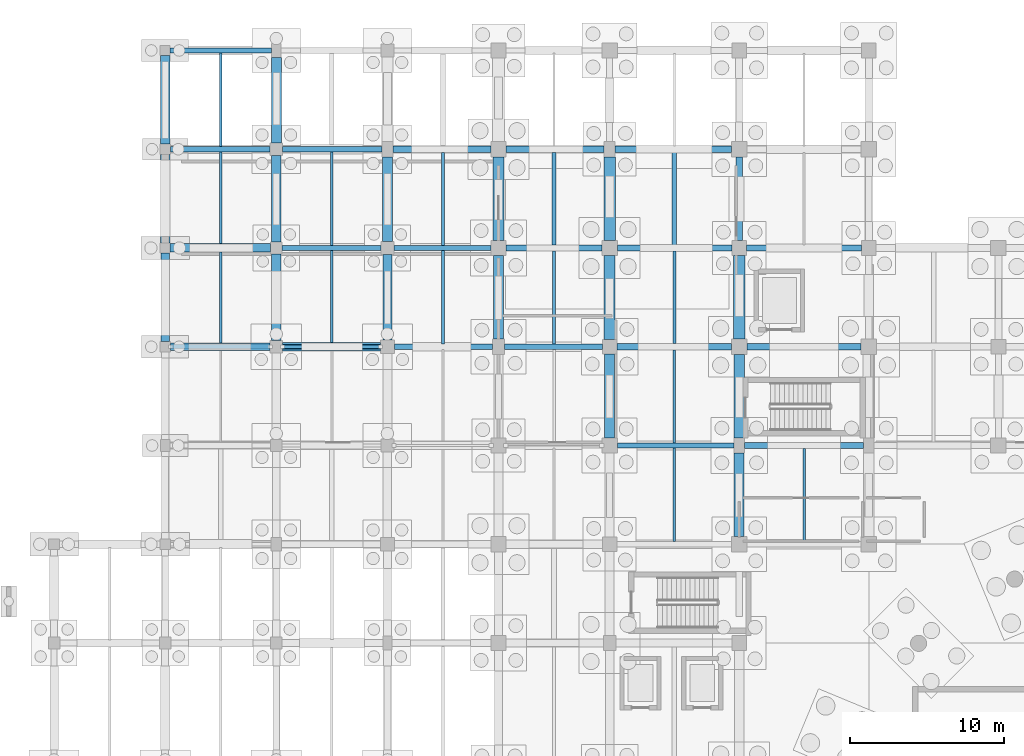
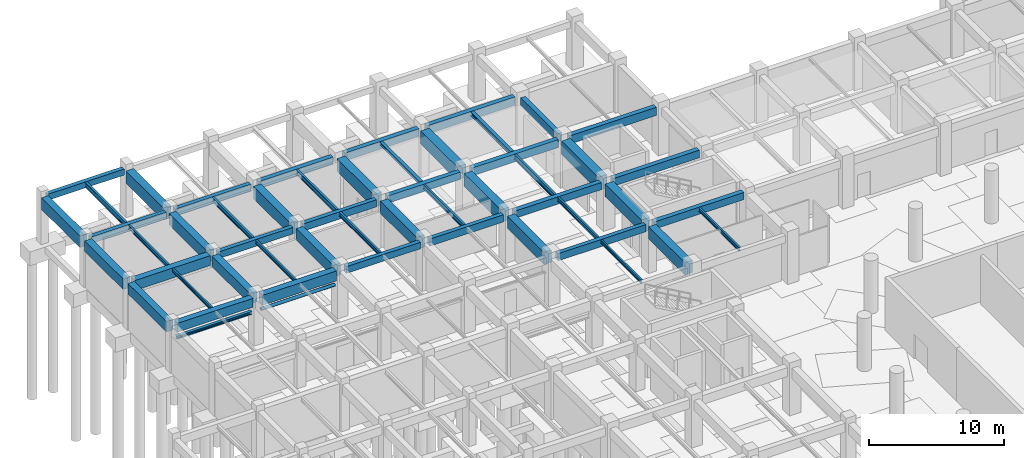
# One storey, part 23 of 44: 51 beams, 2 members.
"""IFC4 building model written with IfcOpenShell, lengths in metres."""

from ifc_helpers import new_model, si_unit, direction, frame, origin, origin_2d, place, context, subcontext, project, spatial, rectangle, hollow_circle, i_section, extrude, material, material_profile, profile_set, type_object, element, save


model = new_model("IFC4")

# Units and contexts
model_context = context("Model", 3, precision=1e-05, world=origin(), true_north=direction((0.0, 1.0)))
body_context = subcontext(model_context, "Body", "Model", "MODEL_VIEW")
ifc_project = project(units=[si_unit("LENGTHUNIT", "METRE"), si_unit("AREAUNIT", "SQUARE_METRE"), si_unit("VOLUMEUNIT", "CUBIC_METRE"), si_unit("PLANEANGLEUNIT", "RADIAN"), si_unit("MASSUNIT", "GRAM", prefix="KILO")], contexts=[model_context])

# Site, building, storey
site_placement = place(None, origin())
site = spatial("IfcSite", under=ifc_project, at=site_placement, CompositionType="ELEMENT")
building_placement = place(site_placement, origin())
building = spatial("IfcBuilding", under=site, at=building_placement, Name="Korsvaeld Concert Hall", CompositionType="ELEMENT")
storey_placement = place(building_placement, frame((0.0, 0.0, -4.800048828125)))
storey = spatial("IfcBuildingStorey", under=building, at=storey_placement, Name="B1", CompositionType="ELEMENT", Elevation=-4.800048828125)

# Beams
ifc_material_1 = material(Name="Concrete C35/45", Category="concrete")
ifc_material_profile_1 = material_profile(ifc_material_1, rectangle(XDim=0.35009765625, YDim=0.60009765625, at=origin_2d()), Name="RC 350x600")
ifc_profile_set_1 = profile_set([ifc_material_profile_1], Name="Concrete C35/45")
beam_type_1 = type_object("IfcBeamType", Name="BM-RC-350x600", PredefinedType="T_BEAM", material=ifc_profile_set_1)
beam_1_placement = place(storey_placement, frame((36.449951171875, 96.0, 3.949951171875), z_axis=(1.0, 0.0, 0.0), x_axis=(0.0, 1.0, 0.0)))
element("IfcBeam", 1, at=beam_1_placement, inside=storey, type_object=beam_type_1, Name="Primary girder 6-7/P B1", PredefinedType="T_BEAM", context=body_context, shape_type="SweptSolid", body=[
    extrude(rectangle(XDim=0.35009765625, YDim=0.60009765625, at=origin_2d()), origin(), (0.0, 0.0, 1.0), 6.35009765625),
])
beam_2_placement = place(storey_placement, frame((29.175048828125, 102.39990234375, 3.949951171875), z_axis=(1.0, 0.0, 0.0), x_axis=(0.0, 1.0, 0.0)))
element("IfcBeam", 2, at=beam_2_placement, inside=storey, type_object=beam_type_1, Name="Primary girder 5-6/Q B1", PredefinedType="T_BEAM", context=body_context, shape_type="SweptSolid", body=[
    extrude(rectangle(XDim=0.35009765625, YDim=0.60009765625, at=origin_2d()), origin(), (0.0, 0.0, 1.0), 6.39990234375),
])
beam_3_placement = place(storey_placement, frame((21.949951171875, 108.800048828125, 3.949951171875), z_axis=(1.0, 0.0, 0.0), x_axis=(0.0, 1.0, 0.0)))
element("IfcBeam", 3, at=beam_3_placement, inside=storey, type_object=beam_type_1, Name="Primary girder 4-5/R B1", PredefinedType="T_BEAM", context=body_context, shape_type="SweptSolid", body=[
    extrude(rectangle(XDim=0.35009765625, YDim=0.60009765625, at=origin_2d()), origin(), (0.0, 0.0, 1.0), 6.449951171875),
])
ifc_material_profile_2 = material_profile(ifc_material_1, rectangle(XDim=0.35009765625, YDim=0.64990234375, at=origin_2d()), Name="RC 350x650")
ifc_profile_set_2 = profile_set([ifc_material_profile_2], Name="Concrete C35/45")
beam_type_2 = type_object("IfcBeamType", Name="BM-RC-350x650", PredefinedType="T_BEAM", material=ifc_profile_set_2)
beam_4_placement = place(storey_placement, frame((50.89990234375, 89.60009765625, 3.925048828125), z_axis=(1.0, 0.0, 0.0), x_axis=(0.0, 1.0, 0.0)))
element("IfcBeam", 4, at=beam_4_placement, inside=storey, type_object=beam_type_2, Name="Primary girder 8-9/N B1", PredefinedType="T_BEAM", context=body_context, shape_type="SweptSolid", body=[
    extrude(rectangle(XDim=0.35009765625, YDim=0.64990234375, at=origin_2d()), origin(), (0.0, 0.0, 1.0), 7.550048828125),
])
beam_5_placement = place(storey_placement, frame((43.60009765625, 96.0, 3.925048828125), z_axis=(1.0, 0.0, 0.0), x_axis=(0.0, 1.0, 0.0)))
element("IfcBeam", 5, at=beam_5_placement, inside=storey, type_object=beam_type_2, Name="Primary girder 7-8/P B1", PredefinedType="T_BEAM", context=body_context, shape_type="SweptSolid", body=[
    extrude(rectangle(XDim=0.35009765625, YDim=0.64990234375, at=origin_2d()), origin(), (0.0, 0.0, 1.0), 6.324951171875),
])
beam_6_placement = place(storey_placement, frame((36.425048828125, 102.39990234375, 3.925048828125), z_axis=(1.0, 0.0, 0.0), x_axis=(0.0, 1.0, 0.0)))
element("IfcBeam", 6, at=beam_6_placement, inside=storey, type_object=beam_type_2, Name="Primary girder 6-7/Q B1", PredefinedType="T_BEAM", context=body_context, shape_type="SweptSolid", body=[
    extrude(rectangle(XDim=0.35009765625, YDim=0.64990234375, at=origin_2d()), origin(), (0.0, 0.0, 1.0), 6.300048828125),
])
beam_7_placement = place(storey_placement, frame((29.199951171875, 108.800048828125, 3.925048828125), z_axis=(1.0, 0.0, 0.0), x_axis=(0.0, 1.0, 0.0)))
element("IfcBeam", 7, at=beam_7_placement, inside=storey, type_object=beam_type_2, Name="Primary girder 5-6/R B1", PredefinedType="T_BEAM", context=body_context, shape_type="SweptSolid", body=[
    extrude(rectangle(XDim=0.35009765625, YDim=0.64990234375, at=origin_2d()), origin(), (0.0, 0.0, 1.0), 6.449951171875),
])
ifc_material_profile_3 = material_profile(ifc_material_1, rectangle(XDim=0.39990234375, YDim=0.64990234375, at=origin_2d()), Name="RC 400x650")
ifc_profile_set_3 = profile_set([ifc_material_profile_3], Name="Concrete C35/45")
beam_type_3 = type_object("IfcBeamType", Name="BM-RC-400x650", PredefinedType="T_BEAM", material=ifc_profile_set_3)
beam_8_placement = place(storey_placement, frame((59.14990234375, 89.60009765625, 3.925048828125), z_axis=(1.0, 0.0, 0.0), x_axis=(0.0, 1.0, 0.0)))
element("IfcBeam", 8, at=beam_8_placement, inside=storey, type_object=beam_type_3, Name="Primary girder 9-10/N B1", PredefinedType="T_BEAM", context=body_context, shape_type="SweptSolid", body=[
    extrude(rectangle(XDim=0.39990234375, YDim=0.64990234375, at=origin_2d()), origin(), (0.0, 0.0, 1.0), 7.7001953125),
])
beam_9_placement = place(storey_placement, frame((50.875, 96.0, 3.925048828125), z_axis=(1.0, 0.0, 0.0), x_axis=(0.0, 1.0, 0.0)))
element("IfcBeam", 9, at=beam_9_placement, inside=storey, type_object=beam_type_3, Name="Primary girder 8-9/P B1", PredefinedType="T_BEAM", context=body_context, shape_type="SweptSolid", body=[
    extrude(rectangle(XDim=0.39990234375, YDim=0.64990234375, at=origin_2d()), origin(), (0.0, 0.0, 1.0), 7.425048828125),
])
beam_10_placement = place(storey_placement, frame((43.675048828125, 102.39990234375, 3.925048828125), z_axis=(1.0, 0.0, 0.0), x_axis=(0.0, 1.0, 0.0)))
element("IfcBeam", 10, at=beam_10_placement, inside=storey, type_object=beam_type_3, Name="Primary girder 7-8/Q B1", PredefinedType="T_BEAM", context=body_context, shape_type="SweptSolid", body=[
    extrude(rectangle(XDim=0.39990234375, YDim=0.64990234375, at=origin_2d()), origin(), (0.0, 0.0, 1.0), 6.224853515625),
])
beam_11_placement = place(storey_placement, frame((36.35009765625, 108.800048828125, 3.925048828125), z_axis=(1.0, 0.0, 0.0), x_axis=(0.0, 1.0, 0.0)))
element("IfcBeam", 11, at=beam_11_placement, inside=storey, type_object=beam_type_3, Name="Primary girder 6-7/R B1", PredefinedType="T_BEAM", context=body_context, shape_type="SweptSolid", body=[
    extrude(rectangle(XDim=0.39990234375, YDim=0.64990234375, at=origin_2d()), origin(), (0.0, 0.0, 1.0), 6.349853515625),
])
ifc_material_profile_4 = material_profile(ifc_material_1, rectangle(XDim=0.39990234375, YDim=0.699951171875, at=origin_2d()), Name="RC 400x700")
ifc_profile_set_4 = profile_set([ifc_material_profile_4], Name="Concrete C35/45")
beam_type_4 = type_object("IfcBeamType", Name="BM-RC-400x700", PredefinedType="T_BEAM", material=ifc_profile_set_4)
beam_12_placement = place(storey_placement, frame((59.300048828125, 96.0, 3.900146484375), z_axis=(1.0, 0.0, 0.0), x_axis=(0.0, 1.0, 0.0)))
element("IfcBeam", 12, at=beam_12_placement, inside=storey, type_object=beam_type_4, Name="Primary girder 9-10/P B1", PredefinedType="T_BEAM", context=body_context, shape_type="SweptSolid", body=[
    extrude(rectangle(XDim=0.39990234375, YDim=0.699951171875, at=origin_2d()), origin(), (0.0, 0.0, 1.0), 7.39990234375),
])
beam_13_placement = place(storey_placement, frame((50.89990234375, 102.39990234375, 3.900146484375), z_axis=(1.0, 0.0, 0.0), x_axis=(0.0, 1.0, 0.0)))
element("IfcBeam", 13, at=beam_13_placement, inside=storey, type_object=beam_type_4, Name="Primary girder 8-9/Q B1", PredefinedType="T_BEAM", context=body_context, shape_type="SweptSolid", body=[
    extrude(rectangle(XDim=0.39990234375, YDim=0.699951171875, at=origin_2d()), origin(), (0.0, 0.0, 1.0), 7.425048828125),
])
beam_14_placement = place(storey_placement, frame((43.699951171875, 108.800048828125, 3.900146484375), z_axis=(1.0, 0.0, 0.0), x_axis=(0.0, 1.0, 0.0)))
element("IfcBeam", 14, at=beam_14_placement, inside=storey, type_object=beam_type_4, Name="Primary girder 7-8/R B1", PredefinedType="T_BEAM", context=body_context, shape_type="SweptSolid", body=[
    extrude(rectangle(XDim=0.39990234375, YDim=0.699951171875, at=origin_2d()), origin(), (0.0, 0.0, 1.0), 6.35009765625),
])
beam_15_placement = place(storey_placement, frame((58.800048828125, 102.875, 3.900146484375), z_axis=(0.0, 1.0, 0.0), x_axis=(-1.0, 0.0, 0.0)))
element("IfcBeam", 15, at=beam_15_placement, inside=storey, type_object=beam_type_4, Name="Primary girder 9/Q-R B1", PredefinedType="T_BEAM", context=body_context, shape_type="SweptSolid", body=[
    extrude(rectangle(XDim=0.39990234375, YDim=0.699951171875, at=origin_2d()), origin(), (0.0, 0.0, 1.0), 5.425048828125),
])
ifc_material_profile_5 = material_profile(ifc_material_1, rectangle(XDim=0.39990234375, YDim=0.75, at=origin_2d()), Name="RC 400x750")
ifc_profile_set_5 = profile_set([ifc_material_profile_5], Name="Concrete C35/45")
beam_type_5 = type_object("IfcBeamType", Name="BM-RC-400x750", PredefinedType="T_BEAM", material=ifc_profile_set_5)
beam_16_placement = place(storey_placement, frame((59.27490234375, 102.39990234375, 3.875), z_axis=(1.0, 0.0, 0.0), x_axis=(0.0, 1.0, 0.0)))
element("IfcBeam", 16, at=beam_16_placement, inside=storey, type_object=beam_type_5, Name="Primary girder 9-10/Q B1", PredefinedType="T_BEAM", context=body_context, shape_type="SweptSolid", body=[
    extrude(rectangle(XDim=0.39990234375, YDim=0.75, at=origin_2d()), origin(), (0.0, 0.0, 1.0), 7.4501953125),
])
beam_17_placement = place(storey_placement, frame((50.75, 108.800048828125, 3.875), z_axis=(1.0, 0.0, 0.0), x_axis=(0.0, 1.0, 0.0)))
element("IfcBeam", 17, at=beam_17_placement, inside=storey, type_object=beam_type_5, Name="Primary girder 8-9/R B1", PredefinedType="T_BEAM", context=body_context, shape_type="SweptSolid", body=[
    extrude(rectangle(XDim=0.39990234375, YDim=0.75, at=origin_2d()), origin(), (0.0, 0.0, 1.0), 7.550048828125),
])
ifc_material_2 = material(Name="Concrete C40/50", Category="concrete")
ifc_material_profile_6 = material_profile(ifc_material_2, rectangle(XDim=0.5, YDim=0.800048828125, at=origin_2d()), Name="RC 500x800")
ifc_profile_set_6 = profile_set([ifc_material_profile_6], Name="Concrete C40/50")
beam_type_6 = type_object("IfcBeamType", Name="BM-RC-500x800", PredefinedType="T_BEAM", material=ifc_profile_set_6)
beam_18_placement = place(storey_placement, frame((21.949951171875, 96.0, 3.85009765625), z_axis=(1.0, 0.0, 0.0), x_axis=(0.0, 1.0, 0.0)))
element("IfcBeam", 18, at=beam_18_placement, inside=storey, type_object=beam_type_6, Name="Primary girder 4-5/P B1", PredefinedType="T_BEAM", context=body_context, shape_type="SweptSolid", body=[
    extrude(rectangle(XDim=0.5, YDim=0.800048828125, at=origin_2d()), origin(), (0.0, 0.0, 1.0), 6.449951171875),
])
ifc_material_profile_7 = material_profile(ifc_material_2, rectangle(XDim=0.550048828125, YDim=0.89990234375, at=origin_2d()), Name="RC 550x900")
ifc_profile_set_7 = profile_set([ifc_material_profile_7], Name="Concrete C40/50")
beam_type_7 = type_object("IfcBeamType", Name="BM-RC-550x900", PredefinedType="T_BEAM", material=ifc_profile_set_7)
beam_19_placement = place(storey_placement, frame((29.199951171875, 96.0, 3.800048828125), z_axis=(1.0, 0.0, 0.0), x_axis=(0.0, 1.0, 0.0)))
element("IfcBeam", 19, at=beam_19_placement, inside=storey, type_object=beam_type_7, Name="Primary girder 5-6/P B1", PredefinedType="T_BEAM", context=body_context, shape_type="SweptSolid", body=[
    extrude(rectangle(XDim=0.550048828125, YDim=0.89990234375, at=origin_2d()), origin(), (0.0, 0.0, 1.0), 6.35009765625),
])
beam_20_placement = place(storey_placement, frame((21.925048828125, 102.39990234375, 3.800048828125), z_axis=(1.0, 0.0, 0.0), x_axis=(0.0, 1.0, 0.0)))
element("IfcBeam", 20, at=beam_20_placement, inside=storey, type_object=beam_type_7, Name="Primary girder 4-5/Q B1", PredefinedType="T_BEAM", context=body_context, shape_type="SweptSolid", body=[
    extrude(rectangle(XDim=0.550048828125, YDim=0.89990234375, at=origin_2d()), origin(), (0.0, 0.0, 1.0), 6.5),
])
ifc_material_profile_8 = material_profile(ifc_material_2, rectangle(XDim=0.550048828125, YDim=0.949951171875, at=origin_2d()), Name="RC 550x950")
ifc_profile_set_8 = profile_set([ifc_material_profile_8], Name="Concrete C40/50")
beam_type_8 = type_object("IfcBeamType", Name="BM-RC-550x950", PredefinedType="T_BEAM", material=ifc_profile_set_8)
beam_21_placement = place(storey_placement, frame((21.60009765625, 96.35009765625, 3.775146484375), z_axis=(0.0, 1.0, 0.0), x_axis=(-1.0, 0.0, 0.0)))
element("IfcBeam", 21, at=beam_21_placement, inside=storey, type_object=beam_type_8, Name="Primary girder 4/P-Q B1", PredefinedType="T_BEAM", context=body_context, shape_type="SweptSolid", body=[
    extrude(rectangle(XDim=0.550048828125, YDim=0.949951171875, at=origin_2d()), origin(), (0.0, 0.0, 1.0), 5.724853515625),
])
ifc_material_profile_9 = material_profile(ifc_material_2, rectangle(XDim=0.60009765625, YDim=1.050048828125, at=origin_2d()), Name="RC 600x1050")
ifc_profile_set_9 = profile_set([ifc_material_profile_9], Name="Concrete C40/50")
beam_type_9 = type_object("IfcBeamType", Name="BM-RC-600x1050", PredefinedType="T_BEAM", material=ifc_profile_set_9)
beam_22_placement = place(storey_placement, frame((21.60009765625, 109.14990234375, 3.72509765625), z_axis=(0.0, 1.0, 0.0), x_axis=(-1.0, 0.0, 0.0)))
element("IfcBeam", 22, at=beam_22_placement, inside=storey, type_object=beam_type_9, Name="Primary girder 4/R-S B1", PredefinedType="T_BEAM", context=body_context, shape_type="SweptSolid", body=[
    extrude(rectangle(XDim=0.60009765625, YDim=1.050048828125, at=origin_2d()), origin(), (0.0, 0.0, 1.0), 5.72509765625),
])
beam_23_placement = place(storey_placement, frame((28.800048828125, 102.77490234375, 3.72509765625), z_axis=(0.0, 1.0, 0.0), x_axis=(-1.0, 0.0, 0.0)))
element("IfcBeam", 23, at=beam_23_placement, inside=storey, type_object=beam_type_9, Name="Primary girder 5/Q-R B1", PredefinedType="T_BEAM", context=body_context, shape_type="SweptSolid", body=[
    extrude(rectangle(XDim=0.60009765625, YDim=1.050048828125, at=origin_2d()), origin(), (0.0, 0.0, 1.0), 5.625),
])
beam_24_placement = place(storey_placement, frame((36.0, 96.449951171875, 3.72509765625), z_axis=(0.0, 1.0, 0.0), x_axis=(-1.0, 0.0, 0.0)))
element("IfcBeam", 24, at=beam_24_placement, inside=storey, type_object=beam_type_9, Name="Primary girder 6/P-Q B1", PredefinedType="T_BEAM", context=body_context, shape_type="SweptSolid", body=[
    extrude(rectangle(XDim=0.60009765625, YDim=1.050048828125, at=origin_2d()), origin(), (0.0, 0.0, 1.0), 5.525146484375),
])
ifc_material_profile_10 = material_profile(ifc_material_2, rectangle(XDim=0.60009765625, YDim=0.949951171875, at=origin_2d()), Name="RC 600x950")
ifc_profile_set_10 = profile_set([ifc_material_profile_10], Name="Concrete C40/50")
beam_type_10 = type_object("IfcBeamType", Name="BM-RC-600x950", PredefinedType="T_BEAM", material=ifc_profile_set_10)
beam_25_placement = place(storey_placement, frame((21.60009765625, 102.72509765625, 3.775146484375), z_axis=(0.0, 1.0, 0.0), x_axis=(-1.0, 0.0, 0.0)))
element("IfcBeam", 25, at=beam_25_placement, inside=storey, type_object=beam_type_10, Name="Primary girder 4/Q-R B1", PredefinedType="T_BEAM", context=body_context, shape_type="SweptSolid", body=[
    extrude(rectangle(XDim=0.60009765625, YDim=0.949951171875, at=origin_2d()), origin(), (0.0, 0.0, 1.0), 5.724853515625),
])
beam_26_placement = place(storey_placement, frame((28.800048828125, 96.39990234375, 3.775146484375), z_axis=(0.0, 1.0, 0.0), x_axis=(-1.0, 0.0, 0.0)))
element("IfcBeam", 26, at=beam_26_placement, inside=storey, type_object=beam_type_10, Name="Primary girder 5/P-Q B1", PredefinedType="T_BEAM", context=body_context, shape_type="SweptSolid", body=[
    extrude(rectangle(XDim=0.60009765625, YDim=0.949951171875, at=origin_2d()), origin(), (0.0, 0.0, 1.0), 5.625),
])
ifc_material_profile_11 = material_profile(ifc_material_2, rectangle(XDim=0.64990234375, YDim=1.10009765625, at=origin_2d()), Name="RC 650x1100")
ifc_profile_set_11 = profile_set([ifc_material_profile_11], Name="Concrete C40/50")
beam_type_11 = type_object("IfcBeamType", Name="BM-RC-650x1100", PredefinedType="T_BEAM", material=ifc_profile_set_11)
beam_27_placement = place(storey_placement, frame((28.800048828125, 109.199951171875, 3.699951171875), z_axis=(0.0, 1.0, 0.0), x_axis=(-1.0, 0.0, 0.0)))
element("IfcBeam", 27, at=beam_27_placement, inside=storey, type_object=beam_type_11, Name="Primary girder 5/R-S B1", PredefinedType="T_BEAM", context=body_context, shape_type="SweptSolid", body=[
    extrude(rectangle(XDim=0.64990234375, YDim=1.10009765625, at=origin_2d()), origin(), (0.0, 0.0, 1.0), 5.550048828125),
])
beam_28_placement = place(storey_placement, frame((36.0, 102.824951171875, 3.699951171875), z_axis=(0.0, 1.0, 0.0), x_axis=(-1.0, 0.0, 0.0)))
element("IfcBeam", 28, at=beam_28_placement, inside=storey, type_object=beam_type_11, Name="Primary girder 6/Q-R B1", PredefinedType="T_BEAM", context=body_context, shape_type="SweptSolid", body=[
    extrude(rectangle(XDim=0.64990234375, YDim=1.10009765625, at=origin_2d()), origin(), (0.0, 0.0, 1.0), 5.47509765625),
])
beam_29_placement = place(storey_placement, frame((43.199951171875, 96.5, 3.699951171875), z_axis=(0.0, 1.0, 0.0), x_axis=(-1.0, 0.0, 0.0)))
element("IfcBeam", 29, at=beam_29_placement, inside=storey, type_object=beam_type_11, Name="Primary girder 7/P-Q B1", PredefinedType="T_BEAM", context=body_context, shape_type="SweptSolid", body=[
    extrude(rectangle(XDim=0.64990234375, YDim=1.10009765625, at=origin_2d()), origin(), (0.0, 0.0, 1.0), 5.425048828125),
])
beam_30_placement = place(storey_placement, frame((50.39990234375, 90.10009765625, 3.699951171875), z_axis=(0.0, 1.0, 0.0), x_axis=(-1.0, 0.0, 0.0)))
element("IfcBeam", 30, at=beam_30_placement, inside=storey, type_object=beam_type_11, Name="Primary girder 8/N-P B1", PredefinedType="T_BEAM", context=body_context, shape_type="SweptSolid", body=[
    extrude(rectangle(XDim=0.64990234375, YDim=1.10009765625, at=origin_2d()), origin(), (0.0, 0.0, 1.0), 5.4248046875),
])
beam_31_placement = place(storey_placement, frame((58.800048828125, 83.699951171875, 3.699951171875), z_axis=(0.0, 1.0, 0.0), x_axis=(-1.0, 0.0, 0.0)))
element("IfcBeam", 31, at=beam_31_placement, inside=storey, type_object=beam_type_11, Name="Primary girder 9/M-N B1", PredefinedType="T_BEAM", context=body_context, shape_type="SweptSolid", body=[
    extrude(rectangle(XDim=0.64990234375, YDim=1.10009765625, at=origin_2d()), origin(), (0.0, 0.0, 1.0), 5.400146484375),
])
ifc_material_profile_12 = material_profile(ifc_material_2, rectangle(XDim=0.699951171875, YDim=1.14990234375, at=origin_2d()), Name="RC 700x1150")
ifc_profile_set_12 = profile_set([ifc_material_profile_12], Name="Concrete C40/50")
beam_type_12 = type_object("IfcBeamType", Name="BM-RC-700x1150", PredefinedType="T_BEAM", material=ifc_profile_set_12)
beam_32_placement = place(storey_placement, frame((43.199951171875, 102.875, 3.675048828125), z_axis=(0.0, 1.0, 0.0), x_axis=(-1.0, 0.0, 0.0)))
element("IfcBeam", 32, at=beam_32_placement, inside=storey, type_object=beam_type_12, Name="Primary girder 7/Q-R B1", PredefinedType="T_BEAM", context=body_context, shape_type="SweptSolid", body=[
    extrude(rectangle(XDim=0.699951171875, YDim=1.14990234375, at=origin_2d()), origin(), (0.0, 0.0, 1.0), 5.425048828125),
])
beam_33_placement = place(storey_placement, frame((50.39990234375, 96.47509765625, 3.675048828125), z_axis=(0.0, 1.0, 0.0), x_axis=(-1.0, 0.0, 0.0)))
element("IfcBeam", 33, at=beam_33_placement, inside=storey, type_object=beam_type_12, Name="Primary girder 8/P-Q B1", PredefinedType="T_BEAM", context=body_context, shape_type="SweptSolid", body=[
    extrude(rectangle(XDim=0.699951171875, YDim=1.14990234375, at=origin_2d()), origin(), (0.0, 0.0, 1.0), 5.4248046875),
])
beam_34_placement = place(storey_placement, frame((58.800048828125, 90.10009765625, 3.675048828125), z_axis=(0.0, 1.0, 0.0), x_axis=(-1.0, 0.0, 0.0)))
element("IfcBeam", 34, at=beam_34_placement, inside=storey, type_object=beam_type_12, Name="Primary girder 9/N-P B1", PredefinedType="T_BEAM", context=body_context, shape_type="SweptSolid", body=[
    extrude(rectangle(XDim=0.699951171875, YDim=1.14990234375, at=origin_2d()), origin(), (0.0, 0.0, 1.0), 5.39990234375),
])
ifc_material_profile_13 = material_profile(ifc_material_2, rectangle(XDim=0.75, YDim=1.199951171875, at=origin_2d()), Name="RC 750x1200")
ifc_profile_set_13 = profile_set([ifc_material_profile_13], Name="Concrete C40/50")
beam_type_13 = type_object("IfcBeamType", Name="BM-RC-750x1200", PredefinedType="T_BEAM", material=ifc_profile_set_13)
beam_35_placement = place(storey_placement, frame((50.39990234375, 102.89990234375, 3.650146484375), z_axis=(0.0, 1.0, 0.0), x_axis=(-1.0, 0.0, 0.0)))
element("IfcBeam", 35, at=beam_35_placement, inside=storey, type_object=beam_type_13, Name="Primary girder 8/Q-R B1", PredefinedType="T_BEAM", context=body_context, shape_type="SweptSolid", body=[
    extrude(rectangle(XDim=0.75, YDim=1.199951171875, at=origin_2d()), origin(), (0.0, 0.0, 1.0), 5.400146484375),
])
beam_36_placement = place(storey_placement, frame((58.800048828125, 96.5, 3.650146484375), z_axis=(0.0, 1.0, 0.0), x_axis=(-1.0, 0.0, 0.0)))
element("IfcBeam", 36, at=beam_36_placement, inside=storey, type_object=beam_type_13, Name="Primary girder 9/P-Q B1", PredefinedType="T_BEAM", context=body_context, shape_type="SweptSolid", body=[
    extrude(rectangle(XDim=0.75, YDim=1.199951171875, at=origin_2d()), origin(), (0.0, 0.0, 1.0), 5.425048828125),
])
ifc_material_profile_14 = material_profile(ifc_material_1, rectangle(XDim=0.35009765625, YDim=0.550048828125, at=origin_2d()), Name="RC 350x550")
ifc_profile_set_14 = profile_set([ifc_material_profile_14], Name="Concrete C35/45")
beam_type_14 = type_object("IfcBeamType", Name="BM-SP-350x550", PredefinedType="SPANDREL", material=ifc_profile_set_14)
beam_37_placement = place(storey_placement, frame((21.925048828125, 115.199951171875, 3.97509765625), z_axis=(1.0, 0.0, 0.0), x_axis=(0.0, 1.0, 0.0)))
element("IfcBeam", 37, at=beam_37_placement, inside=storey, type_object=beam_type_14, Name="Primary girder 4-5/S B1", PredefinedType="SPANDREL", context=body_context, shape_type="SweptSolid", body=[
    extrude(rectangle(XDim=0.35009765625, YDim=0.550048828125, at=origin_2d()), origin(), (0.0, 0.0, 1.0), 6.574951171875),
])
ifc_material_3 = material(Name="Steel S355J2", Category="steel")
ifc_material_profile_15 = material_profile(ifc_material_3, i_section(OverallWidth=0.280029296875, OverallDepth=0.27001953125, WebThickness=0.008056640625, FlangeThickness=0.012939453125, FilletRadius=0.02392578125, at=origin_2d()), Name="HEA 280")
ifc_profile_set_15 = profile_set([ifc_material_profile_15], Name="Steel S355J2")
beam_type_15 = type_object("IfcBeamType", Name="BM-STL-HEA280", PredefinedType="BEAM", material=ifc_profile_set_15)
beam_38_placement = place(storey_placement, frame((46.800048828125, 102.60009765625, 4.114990234375), z_axis=(0.0, 1.0, 0.0), x_axis=(-1.0, 0.0, 0.0)))
element("IfcBeam", 38, at=beam_38_placement, inside=storey, type_object=beam_type_15, Name="Secondary steel floor beam 7-8/Q B1", PredefinedType="BEAM", context=body_context, shape_type="SweptSolid", body=[
    extrude(i_section(OverallWidth=0.280029296875, OverallDepth=0.27001953125, WebThickness=0.008056640625, FlangeThickness=0.012939453125, FilletRadius=0.02392578125, at=origin_2d()), origin(), (0.0, 0.0, 1.0), 6.0),
])
ifc_material_profile_16 = material_profile(ifc_material_3, i_section(OverallWidth=0.300048828125, OverallDepth=0.35009765625, WebThickness=0.010009765625, FlangeThickness=0.017578125, FilletRadius=0.027099609375, at=origin_2d()), Name="HEA 360")
ifc_profile_set_16 = profile_set([ifc_material_profile_16], Name="Steel S355J2")
beam_type_16 = type_object("IfcBeamType", Name="BM-STL-HEA360", PredefinedType="BEAM", material=ifc_profile_set_16)
beam_39_placement = place(storey_placement, frame((54.60009765625, 102.60009765625, 4.074951171875), z_axis=(0.0, 1.0, 0.0), x_axis=(-1.0, 0.0, 0.0)))
element("IfcBeam", 39, at=beam_39_placement, inside=storey, type_object=beam_type_16, Name="Secondary steel floor beam 8-9/Q B1", PredefinedType="BEAM", context=body_context, shape_type="SweptSolid", body=[
    extrude(i_section(OverallWidth=0.300048828125, OverallDepth=0.35009765625, WebThickness=0.010009765625, FlangeThickness=0.017578125, FilletRadius=0.027099609375, at=origin_2d()), origin(), (0.0, 0.0, 1.0), 6.0),
])
ifc_material_profile_17 = material_profile(ifc_material_3, i_section(OverallWidth=0.14990234375, OverallDepth=0.300048828125, WebThickness=0.007080078125, FlangeThickness=0.0107421875, FilletRadius=0.014892578125, at=origin_2d()), Name="IPE 300")
ifc_profile_set_17 = profile_set([ifc_material_profile_17], Name="Steel S355J2")
beam_type_17 = type_object("IfcBeamType", Name="BM-STL-IPE300", PredefinedType="JOIST", material=ifc_profile_set_17)
beam_40_placement = place(storey_placement, frame((25.199951171875, 96.25, 4.10009765625), z_axis=(0.0, 1.0, 0.0), x_axis=(-1.0, 0.0, 0.0)))
element("IfcBeam", 40, at=beam_40_placement, inside=storey, type_object=beam_type_17, Name="Secondary steel floor beam 4-5/P B1", PredefinedType="JOIST", context=body_context, shape_type="SweptSolid", body=[
    extrude(i_section(OverallWidth=0.14990234375, OverallDepth=0.300048828125, WebThickness=0.007080078125, FlangeThickness=0.0107421875, FilletRadius=0.014892578125, at=origin_2d()), origin(), (0.0, 0.0, 1.0), 5.875),
])
beam_41_placement = place(storey_placement, frame((54.60009765625, 83.375, 4.10009765625), z_axis=(0.0, 1.0, 0.0), x_axis=(-1.0, 0.0, 0.0)))
element("IfcBeam", 41, at=beam_41_placement, inside=storey, type_object=beam_type_17, Name="Secondary steel floor beam 8-9/M B1", PredefinedType="JOIST", context=body_context, shape_type="SweptSolid", body=[
    extrude(i_section(OverallWidth=0.14990234375, OverallDepth=0.300048828125, WebThickness=0.007080078125, FlangeThickness=0.0107421875, FilletRadius=0.014892578125, at=origin_2d()), origin(), (0.0, 0.0, 1.0), 6.050048828125),
])
ifc_material_profile_18 = material_profile(ifc_material_3, i_section(OverallWidth=0.159912109375, OverallDepth=0.330078125, WebThickness=0.007568359375, FlangeThickness=0.011474609375, FilletRadius=0.01806640625, at=origin_2d()), Name="IPE 330")
ifc_profile_set_18 = profile_set([ifc_material_profile_18], Name="Steel S355J2")
beam_type_18 = type_object("IfcBeamType", Name="BM-STL-IPE330", PredefinedType="BEAM", material=ifc_profile_set_18)
beam_42_placement = place(storey_placement, frame((32.39990234375, 96.27490234375, 4.0849609375), z_axis=(0.0, 1.0, 0.0), x_axis=(-1.0, 0.0, 0.0)))
element("IfcBeam", 42, at=beam_42_placement, inside=storey, type_object=beam_type_18, Name="Secondary steel floor beam 5-6/P B1", PredefinedType="BEAM", context=body_context, shape_type="SweptSolid", body=[
    extrude(i_section(OverallWidth=0.159912109375, OverallDepth=0.330078125, WebThickness=0.007568359375, FlangeThickness=0.011474609375, FilletRadius=0.01806640625, at=origin_2d()), origin(), (0.0, 0.0, 1.0), 5.9501953125),
])
beam_43_placement = place(storey_placement, frame((63.0, 83.375, 4.0849609375), z_axis=(0.0, 1.0, 0.0), x_axis=(-1.0, 0.0, 0.0)))
element("IfcBeam", 43, at=beam_43_placement, inside=storey, type_object=beam_type_18, Name="Secondary steel floor beam 9-10/M B1", PredefinedType="BEAM", context=body_context, shape_type="SweptSolid", body=[
    extrude(i_section(OverallWidth=0.159912109375, OverallDepth=0.330078125, WebThickness=0.007568359375, FlangeThickness=0.011474609375, FilletRadius=0.01806640625, at=origin_2d()), origin(), (0.0, 0.0, 1.0), 6.02490234375),
])
ifc_material_profile_19 = material_profile(ifc_material_3, i_section(OverallWidth=0.169921875, OverallDepth=0.360107421875, WebThickness=0.008056640625, FlangeThickness=0.0126953125, FilletRadius=0.01806640625, at=origin_2d()), Name="IPE 360")
ifc_profile_set_19 = profile_set([ifc_material_profile_19], Name="Steel S355J2")
beam_type_19 = type_object("IfcBeamType", Name="BM-STL-IPE360", PredefinedType="BEAM", material=ifc_profile_set_19)
beam_44_placement = place(storey_placement, frame((25.199951171875, 102.675048828125, 4.070068359375), z_axis=(0.0, 1.0, 0.0), x_axis=(-1.0, 0.0, 0.0)))
element("IfcBeam", 44, at=beam_44_placement, inside=storey, type_object=beam_type_19, Name="Secondary steel floor beam 4-5/Q B1", PredefinedType="BEAM", context=body_context, shape_type="SweptSolid", body=[
    extrude(i_section(OverallWidth=0.169921875, OverallDepth=0.360107421875, WebThickness=0.008056640625, FlangeThickness=0.0126953125, FilletRadius=0.01806640625, at=origin_2d()), origin(), (0.0, 0.0, 1.0), 5.949951171875),
])
beam_45_placement = place(storey_placement, frame((39.60009765625, 96.175048828125, 4.070068359375), z_axis=(0.0, 1.0, 0.0), x_axis=(-1.0, 0.0, 0.0)))
element("IfcBeam", 45, at=beam_45_placement, inside=storey, type_object=beam_type_19, Name="Secondary steel floor beam 6-7/P B1", PredefinedType="BEAM", context=body_context, shape_type="SweptSolid", body=[
    extrude(i_section(OverallWidth=0.169921875, OverallDepth=0.360107421875, WebThickness=0.008056640625, FlangeThickness=0.0126953125, FilletRadius=0.01806640625, at=origin_2d()), origin(), (0.0, 0.0, 1.0), 6.050048828125),
])
beam_46_placement = place(storey_placement, frame((54.60009765625, 89.77490234375, 4.070068359375), z_axis=(0.0, 1.0, 0.0), x_axis=(-1.0, 0.0, 0.0)))
element("IfcBeam", 46, at=beam_46_placement, inside=storey, type_object=beam_type_19, Name="Secondary steel floor beam 8-9/N B1", PredefinedType="BEAM", context=body_context, shape_type="SweptSolid", body=[
    extrude(i_section(OverallWidth=0.169921875, OverallDepth=0.360107421875, WebThickness=0.008056640625, FlangeThickness=0.0126953125, FilletRadius=0.01806640625, at=origin_2d()), origin(), (0.0, 0.0, 1.0), 6.025146484375),
])
ifc_material_profile_20 = material_profile(ifc_material_3, i_section(OverallWidth=0.179931640625, OverallDepth=0.39990234375, WebThickness=0.008544921875, FlangeThickness=0.013427734375, FilletRadius=0.02099609375, at=origin_2d()), Name="IPE 400")
ifc_profile_set_20 = profile_set([ifc_material_profile_20], Name="Steel S355J2")
beam_type_20 = type_object("IfcBeamType", Name="BM-STL-IPE400", PredefinedType="BEAM", material=ifc_profile_set_20)
beam_47_placement = place(storey_placement, frame((32.39990234375, 102.574951171875, 4.050048828125), z_axis=(0.0, 1.0, 0.0), x_axis=(-1.0, 0.0, 0.0)))
element("IfcBeam", 47, at=beam_47_placement, inside=storey, type_object=beam_type_20, Name="Secondary steel floor beam 5-6/Q B1", PredefinedType="BEAM", context=body_context, shape_type="SweptSolid", body=[
    extrude(i_section(OverallWidth=0.179931640625, OverallDepth=0.39990234375, WebThickness=0.008544921875, FlangeThickness=0.013427734375, FilletRadius=0.02099609375, at=origin_2d()), origin(), (0.0, 0.0, 1.0), 6.050048828125),
])
beam_48_placement = place(storey_placement, frame((46.800048828125, 96.175048828125, 4.050048828125), z_axis=(0.0, 1.0, 0.0), x_axis=(-1.0, 0.0, 0.0)))
element("IfcBeam", 48, at=beam_48_placement, inside=storey, type_object=beam_type_20, Name="Secondary steel floor beam 7-8/P B1", PredefinedType="BEAM", context=body_context, shape_type="SweptSolid", body=[
    extrude(i_section(OverallWidth=0.179931640625, OverallDepth=0.39990234375, WebThickness=0.008544921875, FlangeThickness=0.013427734375, FilletRadius=0.02099609375, at=origin_2d()), origin(), (0.0, 0.0, 1.0), 6.02490234375),
])
ifc_material_profile_21 = material_profile(ifc_material_3, i_section(OverallWidth=0.18994140625, OverallDepth=0.449951171875, WebThickness=0.009521484375, FlangeThickness=0.0146484375, FilletRadius=0.02099609375, at=origin_2d()), Name="IPE 450")
ifc_profile_set_21 = profile_set([ifc_material_profile_21], Name="Steel S355J2")
beam_type_21 = type_object("IfcBeamType", Name="BM-STL-IPE450", PredefinedType="BEAM", material=ifc_profile_set_21)
beam_49_placement = place(storey_placement, frame((25.199951171875, 108.97509765625, 4.025146484375), z_axis=(0.0, 1.0, 0.0), x_axis=(-1.0, 0.0, 0.0)))
element("IfcBeam", 49, at=beam_49_placement, inside=storey, type_object=beam_type_21, Name="Secondary steel floor beam 4-5/R B1", PredefinedType="BEAM", context=body_context, shape_type="SweptSolid", body=[
    extrude(i_section(OverallWidth=0.18994140625, OverallDepth=0.449951171875, WebThickness=0.009521484375, FlangeThickness=0.0146484375, FilletRadius=0.02099609375, at=origin_2d()), origin(), (0.0, 0.0, 1.0), 6.0498046875),
])
beam_50_placement = place(storey_placement, frame((39.60009765625, 102.574951171875, 4.025146484375), z_axis=(0.0, 1.0, 0.0), x_axis=(-1.0, 0.0, 0.0)))
element("IfcBeam", 50, at=beam_50_placement, inside=storey, type_object=beam_type_21, Name="Secondary steel floor beam 6-7/Q B1", PredefinedType="BEAM", context=body_context, shape_type="SweptSolid", body=[
    extrude(i_section(OverallWidth=0.18994140625, OverallDepth=0.449951171875, WebThickness=0.009521484375, FlangeThickness=0.0146484375, FilletRadius=0.02099609375, at=origin_2d()), origin(), (0.0, 0.0, 1.0), 6.025146484375),
])
beam_51_placement = place(storey_placement, frame((54.60009765625, 96.199951171875, 4.025146484375), z_axis=(0.0, 1.0, 0.0), x_axis=(-1.0, 0.0, 0.0)))
element("IfcBeam", 51, at=beam_51_placement, inside=storey, type_object=beam_type_21, Name="Secondary steel floor beam 8-9/P B1", PredefinedType="BEAM", context=body_context, shape_type="SweptSolid", body=[
    extrude(i_section(OverallWidth=0.18994140625, OverallDepth=0.449951171875, WebThickness=0.009521484375, FlangeThickness=0.0146484375, FilletRadius=0.02099609375, at=origin_2d()), origin(), (0.0, 0.0, 1.0), 6.0),
])

# Members
ifc_material_profile_22 = material_profile(ifc_material_3, hollow_circle(Radius=0.136474609375, WallThickness=0.012451171875, at=origin_2d()), Name="CHS 273x12.5")
ifc_profile_set_22 = profile_set([ifc_material_profile_22], Name="Steel S355J2")
member_type_1 = type_object("IfcMemberType", Name="MEM-BRC-CHS273", PredefinedType="BRACE", material=ifc_profile_set_22)
member_1_placement = place(storey_placement, frame((29.199951171875, 96.0, 2.85009765625), z_axis=(1.0, 0.0, 0.0), x_axis=(0.0, 1.0, 0.0)))
element("IfcMember", 52, at=member_1_placement, inside=storey, type_object=member_type_1, Name="Basement lateral frame strut 18", PredefinedType="BRACE", context=body_context, shape_type="SweptSolid", body=[
    extrude(hollow_circle(Radius=0.136474609375, WallThickness=0.012451171875, at=origin_2d()), origin(), (0.0, 0.0, 1.0), 6.35009765625),
])
ifc_material_profile_23 = material_profile(ifc_material_3, i_section(OverallWidth=0.260009765625, OverallDepth=0.260009765625, WebThickness=0.010009765625, FlangeThickness=0.017578125, FilletRadius=0.02392578125, at=origin_2d()), Name="HEB 260")
ifc_profile_set_23 = profile_set([ifc_material_profile_23], Name="Steel S355J2")
member_type_2 = type_object("IfcMemberType", Name="MEM-STR-HEB260", PredefinedType="STRUT", material=ifc_profile_set_23)
member_2_placement = place(storey_placement, frame((21.949951171875, 96.0, 2.85009765625), z_axis=(1.0, 0.0, 0.0), x_axis=(0.0, 1.0, 0.0)))
element("IfcMember", 53, at=member_2_placement, inside=storey, type_object=member_type_2, Name="Basement lateral frame strut 17", PredefinedType="STRUT", context=body_context, shape_type="SweptSolid", body=[
    extrude(i_section(OverallWidth=0.260009765625, OverallDepth=0.260009765625, WebThickness=0.010009765625, FlangeThickness=0.017578125, FilletRadius=0.02392578125, at=origin_2d()), origin(), (0.0, 0.0, 1.0), 6.449951171875),
])

save(model, "model.ifc")
